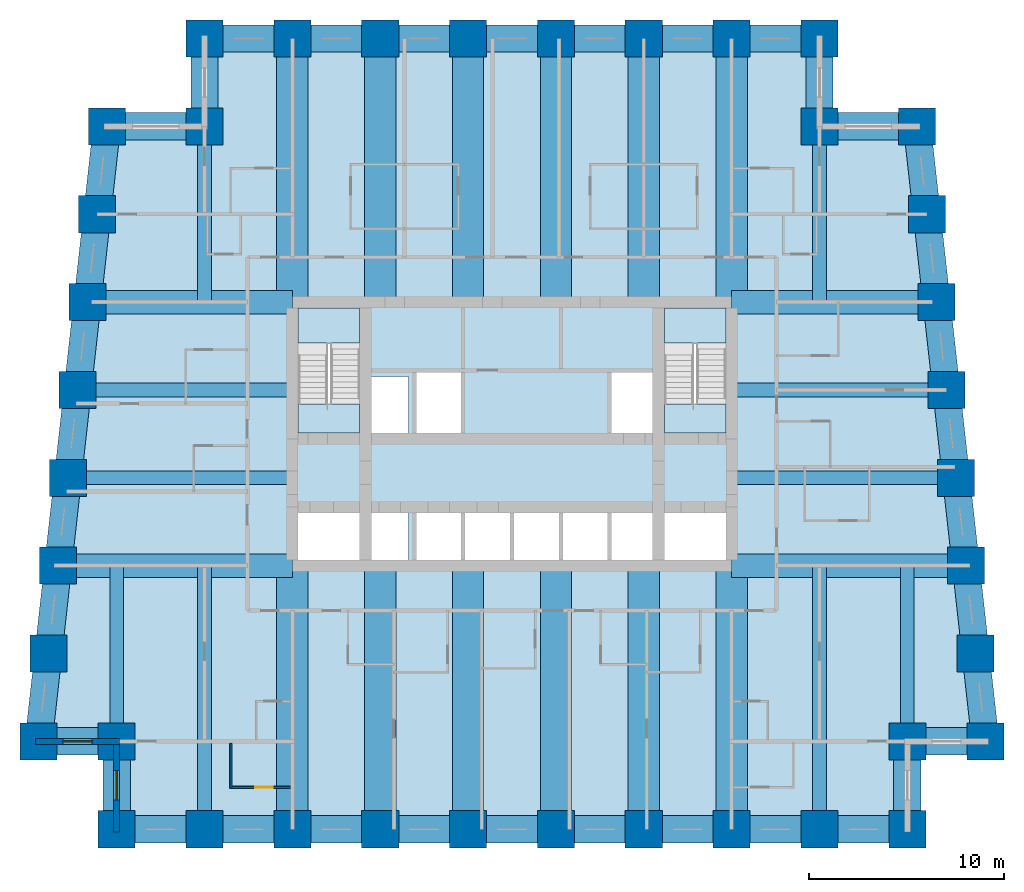
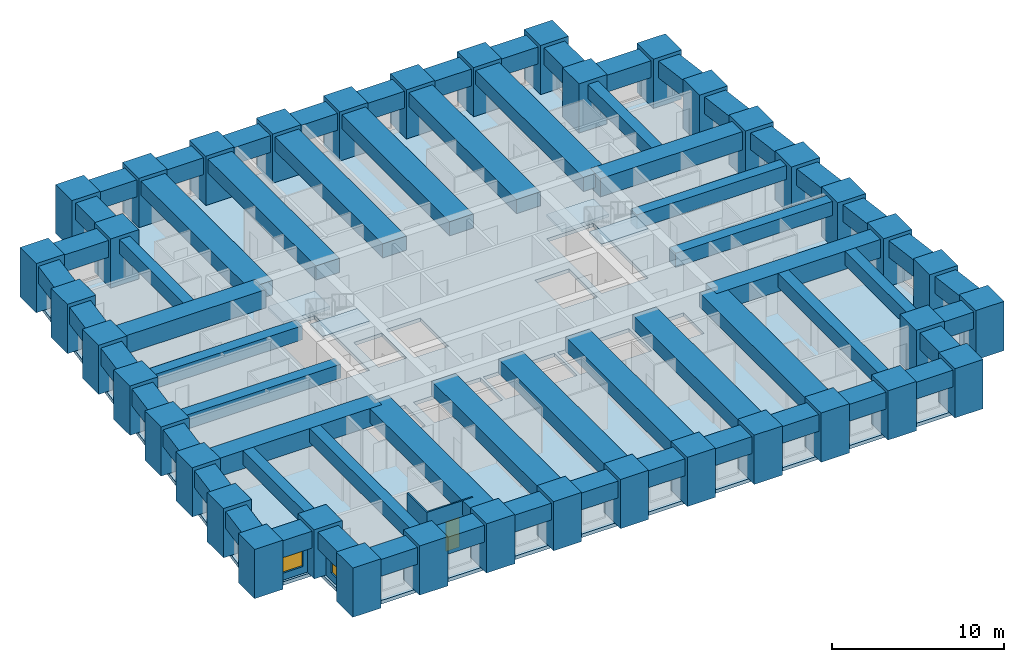
# One storey, part 1 of 8: 64 beams, 38 columns, 5 slabs, 4 walls, 2 windows, 1 door, 3 openings, 2 elements without a shape of their own.
"""IFC4 building model written with IfcOpenShell, lengths in metres."""

from ifc_helpers import new_model, si_unit, direction, frame, frame_2d, origin, origin_2d, place, context, subcontext, project, spatial, polyline, rectangle, outline, extrude, material, layer, layer_set, material_profile, profile_set, type_object, element, fill, aggregate, save


model = new_model("IFC4")

# Units and contexts
model_context = context("Model", 3, precision=1e-05, world=origin(), true_north=direction((0.0, 1.0)))
body_context = subcontext(model_context, "Body", "Model", "MODEL_VIEW")
ifc_project = project(units=[si_unit("LENGTHUNIT", "METRE"), si_unit("AREAUNIT", "SQUARE_METRE"), si_unit("VOLUMEUNIT", "CUBIC_METRE"), si_unit("PLANEANGLEUNIT", "RADIAN"), si_unit("MASSUNIT", "GRAM", prefix="KILO")], contexts=[model_context])

# Site, building, storey
site_placement = place(None, origin())
site = spatial("IfcSite", under=ifc_project, at=site_placement, CompositionType="ELEMENT")
building_placement = place(site_placement, origin())
building = spatial("IfcBuilding", under=site, at=building_placement, Name="Kilele Tower Hotel", CompositionType="ELEMENT")
storey_placement = place(building_placement, frame((0.0, 0.0, 75.199951171875)))
storey = spatial("IfcBuildingStorey", under=building, at=storey_placement, Name="L18", CompositionType="ELEMENT", Elevation=75.199951171875)

# Columns
ifc_material_1 = material(Name="Concrete C80/95", Category="concrete")
ifc_material_profile_1 = material_profile(ifc_material_1, rectangle(XDim=1.89990234375, YDim=1.89990234375, at=origin_2d()))
ifc_profile_set_1 = profile_set([ifc_material_profile_1], Name="Concrete C80/95")
column_type = type_object("IfcColumnType", Name="Tube column RC 1900x1900 C80/95", PredefinedType="COLUMN", material=ifc_profile_set_1)
for number, where, z_axis, x_axis, name in (
    (1, (0.5, 4.5, 0.0), (0.0, 0.0, 1.0), (1.0, 0.0, 0.0), "Column TC1 L18"),
    (2, (4.5, 4.5, 0.0), (0.0, 0.0, 1.0), (1.0, 0.0, 0.0), "Column TC1 L18"),
    (3, (4.5, 0.0, 0.0), (0.0, 0.0, 1.0), (1.0, 0.0, 0.0), "Column TC1 L18"),
    (4, (9.0, 0.0, 0.0), (0.0, 0.0, 1.0), (1.0, 0.0, 0.0), "Column TC1 L18"),
    (5, (13.5, 0.0, 0.0), (0.0, 0.0, 1.0), (1.0, 0.0, 0.0), "Column TC1 L18"),
    (6, (18.0, 0.0, 0.0), (0.0, 0.0, 1.0), (1.0, 0.0, 0.0), "Column TC1 L18"),
    (7, (22.5, 0.0, 0.0), (0.0, 0.0, 1.0), (1.0, 0.0, 0.0), "Column TC1 L18"),
    (8, (27.0, 0.0, 0.0), (0.0, 0.0, 1.0), (1.0, 0.0, 0.0), "Column TC1 L18"),
    (9, (31.5, 0.0, 0.0), (0.0, 0.0, 1.0), (1.0, 0.0, 0.0), "Column TC1 L18"),
    (10, (36.0, 0.0, 0.0), (0.0, 0.0, 1.0), (1.0, 0.0, 0.0), "Column TC1 L18"),
    (11, (40.5, 0.0, 0.0), (0.0, 0.0, 1.0), (1.0, 0.0, 0.0), "Column TC1 L18"),
    (12, (45.0, 0.0, 0.0), (0.0, 0.0, 1.0), (1.0, 0.0, 0.0), "Column TC1 L18"),
    (13, (45.0, 4.5, 0.0), (0.0, 0.0, 1.0), (1.0, 0.0, 0.0), "Column TC1 L18"),
    (14, (49.0, 4.5, 0.0), (0.0, 0.0, 1.0), (1.0, 0.0, 0.0), "Column TC1 L18"),
    (15, (48.5, 9.0, 0.0), (0.0, 0.0, 1.0), (1.0, 0.0, 0.0), "Column TC1 L18"),
    (16, (48.0, 13.5, 0.0), (0.0, 0.0, 1.0), (1.0, 0.0, 0.0), "Column TC1 L18"),
    (17, (47.5, 18.0, 0.0), (0.0, 0.0, 1.0), (1.0, 0.0, 0.0), "Column TC1 L18"),
    (18, (47.0, 22.5, 0.0), (0.0, 0.0, 1.0), (1.0, 0.0, 0.0), "Column TC1 L18"),
    (19, (46.5, 27.0, 0.0), (0.0, 0.0, 1.0), (1.0, 0.0, 0.0), "Column TC1 L18"),
    (20, (46.0, 31.5, 0.0), (0.0, 0.0, 1.0), (1.0, 0.0, 0.0), "Column TC1 L18"),
    (21, (45.5, 36.0, 0.0), (0.0, 0.0, 1.0), (1.0, 0.0, 0.0), "Column TC1 L18"),
    (22, (40.5, 36.0, 0.0), (0.0, 0.0, 1.0), (1.0, 0.0, 0.0), "Column TC1 L18"),
    (23, (40.5, 40.5, 0.0), (0.0, 0.0, 1.0), (1.0, 0.0, 0.0), "Column TC1 L18"),
    (24, (36.0, 40.5, 0.0), (0.0, 0.0, 1.0), (1.0, 0.0, 0.0), "Column TC1 L18"),
    (25, (31.5, 40.5, 0.0), (0.0, 0.0, 1.0), (1.0, 0.0, 0.0), "Column TC1 L18"),
    (26, (27.0, 40.5, 0.0), (0.0, 0.0, 1.0), (1.0, 0.0, 0.0), "Column TC1 L18"),
    (27, (22.5, 40.5, 0.0), (0.0, 0.0, 1.0), (1.0, 0.0, 0.0), "Column TC1 L18"),
    (28, (18.0, 40.5, 0.0), (0.0, 0.0, 1.0), (1.0, 0.0, 0.0), "Column TC1 L18"),
    (29, (13.5, 40.5, 0.0), (0.0, 0.0, 1.0), (1.0, 0.0, 0.0), "Column TC1 L18"),
    (30, (9.0, 40.5, 0.0), (0.0, 0.0, 1.0), (1.0, 0.0, 0.0), "Column TC1 L18"),
    (31, (9.0, 36.0, 0.0), (0.0, 0.0, 1.0), (1.0, 0.0, 0.0), "Column TC1 L18"),
    (32, (4.0, 36.0, 0.0), (0.0, 0.0, 1.0), (1.0, 0.0, 0.0), "Column TC1 L18"),
    (33, (3.5, 31.5, 0.0), (0.0, 0.0, 1.0), (1.0, 0.0, 0.0), "Column TC1 L18"),
    (34, (3.0, 27.0, 0.0), (0.0, 0.0, 1.0), (1.0, 0.0, 0.0), "Column TC1 L18"),
    (35, (2.5, 22.5, 0.0), (0.0, 0.0, 1.0), (1.0, 0.0, 0.0), "Column TC1 L18"),
    (36, (2.0, 18.0, 0.0), (0.0, 0.0, 1.0), (1.0, 0.0, 0.0), "Column TC1 L18"),
    (37, (1.5, 13.5, 0.0), (0.0, 0.0, 1.0), (1.0, 0.0, 0.0), "Column TC1 L18"),
    (38, (1.0, 9.0, 0.0), (0.0, 0.0, 1.0), (1.0, 0.0, 0.0), "Column TC1 L18"),
):
    element("IfcColumn", number, at=place(storey_placement, frame(where, z_axis=z_axis, x_axis=x_axis)), inside=storey, type_object=column_type, Name=name, PredefinedType="COLUMN", context=body_context, shape_type="SweptSolid", body=[
        extrude(rectangle(XDim=1.89990234375, YDim=1.89990234375, at=origin_2d()), origin(), (0.0, 0.0, 1.0), 3.5),
    ])

# Beams
ifc_material_2 = material(Name="Concrete C60/75", Category="concrete")
ifc_material_profile_2 = material_profile(ifc_material_2, rectangle(XDim=1.60009765625, YDim=1.0, at=origin_2d()))
ifc_profile_set_2 = profile_set([ifc_material_profile_2], Name="Concrete C60/75")
beam_type_1 = type_object("IfcBeamType", Name="Beam RC 1600x1000 C60/75", PredefinedType="BEAM", material=ifc_profile_set_2)
for number, where, z_axis, x_axis, name in (
    (39, (13.5, 0.0, 2.75), (0.0, 1.0, 0.0), (-1.0, 0.0, 0.0), "Beam BC1 level L19"),
    (40, (18.0, 0.0, 2.75), (0.0, 1.0, 0.0), (-1.0, 0.0, 0.0), "Beam BC1 level L19"),
    (41, (22.5, 0.0, 2.75), (0.0, 1.0, 0.0), (-1.0, 0.0, 0.0), "Beam BC1 level L19"),
    (42, (27.0, 0.0, 2.75), (0.0, 1.0, 0.0), (-1.0, 0.0, 0.0), "Beam BC1 level L19"),
    (43, (31.5, 0.0, 2.75), (0.0, 1.0, 0.0), (-1.0, 0.0, 0.0), "Beam BC1 level L19"),
    (44, (36.0, 0.0, 2.75), (0.0, 1.0, 0.0), (-1.0, 0.0, 0.0), "Beam BC1 level L19"),
    (45, (36.0, 40.5, 2.75), (0.0, -1.0, 0.0), (1.0, 0.0, 0.0), "Beam BC1 level L19"),
    (46, (31.5, 40.5, 2.75), (0.0, -1.0, 0.0), (1.0, 0.0, 0.0), "Beam BC1 level L19"),
    (47, (27.0, 40.5, 2.75), (0.0, -1.0, 0.0), (1.0, 0.0, 0.0), "Beam BC1 level L19"),
    (48, (22.5, 40.5, 2.75), (0.0, -1.0, 0.0), (1.0, 0.0, 0.0), "Beam BC1 level L19"),
    (49, (18.0, 40.5, 2.75), (0.0, -1.0, 0.0), (1.0, 0.0, 0.0), "Beam BC1 level L19"),
    (50, (13.5, 40.5, 2.75), (0.0, -1.0, 0.0), (1.0, 0.0, 0.0), "Beam BC1 level L19"),
):
    element("IfcBeam", number, at=place(storey_placement, frame(where, z_axis=z_axis, x_axis=x_axis)), inside=storey, type_object=beam_type_1, Name=name, PredefinedType="BEAM", context=body_context, shape_type="SweptSolid", body=[
        extrude(rectangle(XDim=1.60009765625, YDim=1.0, at=origin_2d()), origin(), (0.0, 0.0, 1.0), 13.5),
    ])
ifc_material_3 = material(Name="Concrete C60/75", Category="concrete")
ifc_material_profile_3 = material_profile(ifc_material_3, rectangle(XDim=0.699951171875, YDim=1.0, at=origin_2d()))
ifc_profile_set_3 = profile_set([ifc_material_profile_3], Name="Concrete C60/75")
beam_type_2 = type_object("IfcBeamType", Name="Beam RC 700x1000 C60/75", PredefinedType="BEAM", material=ifc_profile_set_3)
for number, where, z_axis, x_axis, name in (
    (51, (9.0, 0.0, 2.75), (0.0, 1.0, 0.0), (-1.0, 0.0, 0.0), "Beam B4 level L19"),
    (52, (40.5, 0.0, 2.75), (0.0, 1.0, 0.0), (-1.0, 0.0, 0.0), "Beam B4 level L19"),
):
    element("IfcBeam", number, at=place(storey_placement, frame(where, z_axis=z_axis, x_axis=x_axis)), inside=storey, type_object=beam_type_2, Name=name, PredefinedType="BEAM", context=body_context, shape_type="SweptSolid", body=[
        extrude(rectangle(XDim=0.699951171875, YDim=1.0, at=origin_2d()), origin(), (0.0, 0.0, 1.0), 13.5),
    ])
ifc_material_4 = material(Name="Concrete C60/75", Category="concrete")
ifc_material_profile_4 = material_profile(ifc_material_4, rectangle(XDim=0.699951171875, YDim=1.0, at=origin_2d()))
ifc_profile_set_4 = profile_set([ifc_material_profile_4], Name="Concrete C60/75")
beam_type_3 = type_object("IfcBeamType", Name="Beam RC 700x1000 C60/75 mid span", PredefinedType="BEAM", material=ifc_profile_set_4)
for number, where, z_axis, x_axis, name in (
    (53, (4.5, 4.5, 2.75), (0.0, 1.0, 0.0), (-1.0, 0.0, 0.0), "Beam B5 level L19"),
    (54, (45.0, 4.5, 2.75), (0.0, 1.0, 0.0), (-1.0, 0.0, 0.0), "Beam B5 level L19"),
):
    element("IfcBeam", number, at=place(storey_placement, frame(where, z_axis=z_axis, x_axis=x_axis)), inside=storey, type_object=beam_type_3, Name=name, PredefinedType="BEAM", context=body_context, shape_type="SweptSolid", body=[
        extrude(rectangle(XDim=0.699951171875, YDim=1.0, at=origin_2d()), origin(), (0.0, 0.0, 1.0), 9.0),
    ])
beam_1_placement = place(storey_placement, frame((47.5, 18.0, 2.75), z_axis=(-1.0, 0.0, 0.0), x_axis=(0.0, -1.0, 0.0)))
element("IfcBeam", 55, at=beam_1_placement, inside=storey, type_object=beam_type_3, Name="Beam B5 level L19", PredefinedType="BEAM", context=body_context, shape_type="SweptSolid", body=[
    extrude(rectangle(XDim=0.699951171875, YDim=1.0, at=origin_2d()), origin(), (0.0, 0.0, 1.0), 11.5),
])
beam_2_placement = place(storey_placement, frame((47.0, 22.5, 2.75), z_axis=(-1.0, 0.0, 0.0), x_axis=(0.0, -1.0, 0.0)))
element("IfcBeam", 56, at=beam_2_placement, inside=storey, type_object=beam_type_3, Name="Beam B5 level L19", PredefinedType="BEAM", context=body_context, shape_type="SweptSolid", body=[
    extrude(rectangle(XDim=0.699951171875, YDim=1.0, at=origin_2d()), origin(), (0.0, 0.0, 1.0), 11.0),
])
for number, where, z_axis, x_axis, name in (
    (57, (40.5, 36.0, 2.75), (0.0, -1.0, 0.0), (1.0, 0.0, 0.0), "Beam B5 level L19"),
    (58, (9.0, 36.0, 2.75), (0.0, -1.0, 0.0), (1.0, 0.0, 0.0), "Beam B5 level L19"),
):
    element("IfcBeam", number, at=place(storey_placement, frame(where, z_axis=z_axis, x_axis=x_axis)), inside=storey, type_object=beam_type_3, Name=name, PredefinedType="BEAM", context=body_context, shape_type="SweptSolid", body=[
        extrude(rectangle(XDim=0.699951171875, YDim=1.0, at=origin_2d()), origin(), (0.0, 0.0, 1.0), 9.0),
    ])
beam_3_placement = place(storey_placement, frame((2.5, 22.5, 2.75), z_axis=(1.0, 0.0, 0.0), x_axis=(0.0, 1.0, 0.0)))
element("IfcBeam", 59, at=beam_3_placement, inside=storey, type_object=beam_type_3, Name="Beam B5 level L19", PredefinedType="BEAM", context=body_context, shape_type="SweptSolid", body=[
    extrude(rectangle(XDim=0.699951171875, YDim=1.0, at=origin_2d()), origin(), (0.0, 0.0, 1.0), 11.0),
])
beam_4_placement = place(storey_placement, frame((2.0, 18.0, 2.75), z_axis=(1.0, 0.0, 0.0), x_axis=(0.0, 1.0, 0.0)))
element("IfcBeam", 60, at=beam_4_placement, inside=storey, type_object=beam_type_3, Name="Beam B5 level L19", PredefinedType="BEAM", context=body_context, shape_type="SweptSolid", body=[
    extrude(rectangle(XDim=0.699951171875, YDim=1.0, at=origin_2d()), origin(), (0.0, 0.0, 1.0), 11.5),
])
ifc_material_5 = material(Name="Concrete C60/75", Category="concrete")
ifc_material_profile_5 = material_profile(ifc_material_5, rectangle(XDim=1.199951171875, YDim=1.300048828125, at=origin_2d()))
ifc_profile_set_5 = profile_set([ifc_material_profile_5], Name="Concrete C60/75")
beam_type_4 = type_object("IfcBeamType", Name="Girder RC 1200x1300 C60/75", PredefinedType="BEAM", material=ifc_profile_set_5)
for number, where, z_axis, x_axis, name in (
    (61, (48.0, 13.5, 2.60009765625), (-1.0, 0.0, 0.0), (0.0, -1.0, 0.0), "Girder G1 level L19"),
    (62, (1.5, 13.5, 2.60009765625), (1.0, 0.0, 0.0), (0.0, 1.0, 0.0), "Girder G1 level L19"),
):
    element("IfcBeam", number, at=place(storey_placement, frame(where, z_axis=z_axis, x_axis=x_axis)), inside=storey, type_object=beam_type_4, Name=name, PredefinedType="BEAM", context=body_context, shape_type="SweptSolid", body=[
        extrude(rectangle(XDim=1.199951171875, YDim=1.300048828125, at=origin_2d()), origin(), (0.0, 0.0, 1.0), 12.0),
    ])
ifc_material_6 = material(Name="Concrete C60/75", Category="concrete")
ifc_material_profile_6 = material_profile(ifc_material_6, rectangle(XDim=1.199951171875, YDim=1.300048828125, at=origin_2d()))
ifc_profile_set_6 = profile_set([ifc_material_profile_6], Name="Concrete C60/75")
beam_type_5 = type_object("IfcBeamType", Name="Girder RC 1200x1300 C60/75 mid span", PredefinedType="BEAM", material=ifc_profile_set_6)
for number, where, z_axis, x_axis, name in (
    (63, (46.5, 27.0, 2.60009765625), (-1.0, 0.0, 0.0), (0.0, -1.0, 0.0), "Girder G3 level L19"),
    (64, (3.0, 27.0, 2.60009765625), (1.0, 0.0, 0.0), (0.0, 1.0, 0.0), "Girder G3 level L19"),
):
    element("IfcBeam", number, at=place(storey_placement, frame(where, z_axis=z_axis, x_axis=x_axis)), inside=storey, type_object=beam_type_5, Name=name, PredefinedType="BEAM", context=body_context, shape_type="SweptSolid", body=[
        extrude(rectangle(XDim=1.199951171875, YDim=1.300048828125, at=origin_2d()), origin(), (0.0, 0.0, 1.0), 10.5),
    ])
ifc_material_7 = material(Name="Concrete C60/75", Category="concrete")
ifc_material_profile_7 = material_profile(ifc_material_7, rectangle(XDim=1.39990234375, YDim=1.199951171875, at=origin_2d()))
ifc_profile_set_7 = profile_set([ifc_material_profile_7], Name="Concrete C60/75")
beam_type_6 = type_object("IfcBeamType", Name="Spandrel RC 1400x1200 C60/75", PredefinedType="SPANDREL", material=ifc_profile_set_7)
beam_5_placement = place(storey_placement, frame((0.5, 4.5, 2.650146484375), z_axis=(1.0, 0.0, 0.0), x_axis=(0.0, 1.0, 0.0)))
element("IfcBeam", 65, at=beam_5_placement, inside=storey, type_object=beam_type_6, Name="Spandrel SP10 level L19", PredefinedType="SPANDREL", context=body_context, shape_type="SweptSolid", body=[
    extrude(rectangle(XDim=1.39990234375, YDim=1.199951171875, at=origin_2d()), origin(), (0.0, 0.0, 1.0), 4.0),
])
for number, where, z_axis, x_axis, name in (
    (66, (4.5, 4.5, 2.650146484375), (0.0, -1.0, 0.0), (1.0, 0.0, 0.0), "Spandrel SP10 level L19"),
    (67, (4.5, 0.0, 2.650146484375), (1.0, 0.0, 0.0), (0.0, 1.0, 0.0), "Spandrel SP10 level L19"),
    (68, (9.0, 0.0, 2.650146484375), (1.0, 0.0, 0.0), (0.0, 1.0, 0.0), "Spandrel SP10 level L19"),
    (69, (13.5, 0.0, 2.650146484375), (1.0, 0.0, 0.0), (0.0, 1.0, 0.0), "Spandrel SP10 level L19"),
    (70, (18.0, 0.0, 2.650146484375), (1.0, 0.0, 0.0), (0.0, 1.0, 0.0), "Spandrel SP10 level L19"),
    (71, (22.5, 0.0, 2.650146484375), (1.0, 0.0, 0.0), (0.0, 1.0, 0.0), "Spandrel SP10 level L19"),
    (72, (27.0, 0.0, 2.650146484375), (1.0, 0.0, 0.0), (0.0, 1.0, 0.0), "Spandrel SP10 level L19"),
    (73, (31.5, 0.0, 2.650146484375), (1.0, 0.0, 0.0), (0.0, 1.0, 0.0), "Spandrel SP10 level L19"),
    (74, (36.0, 0.0, 2.650146484375), (1.0, 0.0, 0.0), (0.0, 1.0, 0.0), "Spandrel SP10 level L19"),
    (75, (40.5, 0.0, 2.650146484375), (1.0, 0.0, 0.0), (0.0, 1.0, 0.0), "Spandrel SP10 level L19"),
    (76, (45.0, 0.0, 2.650146484375), (0.0, 1.0, 0.0), (-1.0, 0.0, 0.0), "Spandrel SP10 level L19"),
):
    element("IfcBeam", number, at=place(storey_placement, frame(where, z_axis=z_axis, x_axis=x_axis)), inside=storey, type_object=beam_type_6, Name=name, PredefinedType="SPANDREL", context=body_context, shape_type="SweptSolid", body=[
        extrude(rectangle(XDim=1.39990234375, YDim=1.199951171875, at=origin_2d()), origin(), (0.0, 0.0, 1.0), 4.5),
    ])
beam_6_placement = place(storey_placement, frame((45.0, 4.5, 2.650146484375), z_axis=(1.0, 0.0, 0.0), x_axis=(0.0, 1.0, 0.0)))
element("IfcBeam", 77, at=beam_6_placement, inside=storey, type_object=beam_type_6, Name="Spandrel SP10 level L19", PredefinedType="SPANDREL", context=body_context, shape_type="SweptSolid", body=[
    extrude(rectangle(XDim=1.39990234375, YDim=1.199951171875, at=origin_2d()), origin(), (0.0, 0.0, 1.0), 4.0),
])
for number, where, z_axis, x_axis, name in (
    (78, (49.0, 4.5, 2.650146484375), (-0.110431526075, 0.993883734674, 0.0), (-0.993883734674, -0.110431526075, 0.0), "Spandrel SP10 level L19"),
    (79, (48.5, 9.0, 2.650146484375), (-0.110431526075, 0.993883734674, 0.0), (-0.993883734674, -0.110431526075, 0.0), "Spandrel SP10 level L19"),
    (80, (48.0, 13.5, 2.650146484375), (-0.110431526075, 0.993883734674, 0.0), (-0.993883734674, -0.110431526075, 0.0), "Spandrel SP10 level L19"),
    (81, (47.5, 18.0, 2.650146484375), (-0.110431526075, 0.993883734674, 0.0), (-0.993883734674, -0.110431526075, 0.0), "Spandrel SP10 level L19"),
    (82, (47.0, 22.5, 2.650146484375), (-0.110431526075, 0.993883734674, 0.0), (-0.993883734674, -0.110431526075, 0.0), "Spandrel SP10 level L19"),
    (83, (46.5, 27.0, 2.650146484375), (-0.110431526075, 0.993883734674, 0.0), (-0.993883734674, -0.110431526075, 0.0), "Spandrel SP10 level L19"),
    (84, (46.0, 31.5, 2.650146484375), (-0.110431526075, 0.993883734674, 0.0), (-0.993883734674, -0.110431526075, 0.0), "Spandrel SP10 level L19"),
):
    element("IfcBeam", number, at=place(storey_placement, frame(where, z_axis=z_axis, x_axis=x_axis)), inside=storey, type_object=beam_type_6, Name=name, PredefinedType="SPANDREL", context=body_context, shape_type="SweptSolid", body=[
        extrude(rectangle(XDim=1.39990234375, YDim=1.199951171875, at=origin_2d()), origin(), (0.0, 0.0, 1.0), 4.527587890625),
    ])
beam_7_placement = place(storey_placement, frame((45.5, 36.0, 2.650146484375), z_axis=(-1.0, 0.0, 0.0), x_axis=(0.0, -1.0, 0.0)))
element("IfcBeam", 85, at=beam_7_placement, inside=storey, type_object=beam_type_6, Name="Spandrel SP10 level L19", PredefinedType="SPANDREL", context=body_context, shape_type="SweptSolid", body=[
    extrude(rectangle(XDim=1.39990234375, YDim=1.199951171875, at=origin_2d()), origin(), (0.0, 0.0, 1.0), 5.0),
])
for number, where, z_axis, x_axis, name in (
    (86, (40.5, 36.0, 2.650146484375), (0.0, 1.0, 0.0), (-1.0, 0.0, 0.0), "Spandrel SP10 level L19"),
    (87, (40.5, 40.5, 2.650146484375), (-1.0, 0.0, 0.0), (0.0, -1.0, 0.0), "Spandrel SP10 level L19"),
    (88, (36.0, 40.5, 2.650146484375), (-1.0, 0.0, 0.0), (0.0, -1.0, 0.0), "Spandrel SP10 level L19"),
    (89, (31.5, 40.5, 2.650146484375), (-1.0, 0.0, 0.0), (0.0, -1.0, 0.0), "Spandrel SP10 level L19"),
    (90, (27.0, 40.5, 2.650146484375), (-1.0, 0.0, 0.0), (0.0, -1.0, 0.0), "Spandrel SP10 level L19"),
    (91, (22.5, 40.5, 2.650146484375), (-1.0, 0.0, 0.0), (0.0, -1.0, 0.0), "Spandrel SP10 level L19"),
    (92, (18.0, 40.5, 2.650146484375), (-1.0, 0.0, 0.0), (0.0, -1.0, 0.0), "Spandrel SP10 level L19"),
    (93, (13.5, 40.5, 2.650146484375), (-1.0, 0.0, 0.0), (0.0, -1.0, 0.0), "Spandrel SP10 level L19"),
    (94, (9.0, 40.5, 2.650146484375), (0.0, -1.0, 0.0), (1.0, 0.0, 0.0), "Spandrel SP10 level L19"),
):
    element("IfcBeam", number, at=place(storey_placement, frame(where, z_axis=z_axis, x_axis=x_axis)), inside=storey, type_object=beam_type_6, Name=name, PredefinedType="SPANDREL", context=body_context, shape_type="SweptSolid", body=[
        extrude(rectangle(XDim=1.39990234375, YDim=1.199951171875, at=origin_2d()), origin(), (0.0, 0.0, 1.0), 4.5),
    ])
beam_8_placement = place(storey_placement, frame((9.0, 36.0, 2.650146484375), z_axis=(-1.0, 0.0, 0.0), x_axis=(0.0, -1.0, 0.0)))
element("IfcBeam", 95, at=beam_8_placement, inside=storey, type_object=beam_type_6, Name="Spandrel SP10 level L19", PredefinedType="SPANDREL", context=body_context, shape_type="SweptSolid", body=[
    extrude(rectangle(XDim=1.39990234375, YDim=1.199951171875, at=origin_2d()), origin(), (0.0, 0.0, 1.0), 5.0),
])
for number, where, z_axis, x_axis, name in (
    (96, (4.0, 36.0, 2.650146484375), (-0.110431526075, -0.993883734674, 0.0), (0.993883734674, -0.110431526075, 0.0), "Spandrel SP10 level L19"),
    (97, (3.5, 31.5, 2.650146484375), (-0.110431526075, -0.993883734674, 0.0), (0.993883734674, -0.110431526075, 0.0), "Spandrel SP10 level L19"),
    (98, (3.0, 27.0, 2.650146484375), (-0.110431526075, -0.993883734674, 0.0), (0.993883734674, -0.110431526075, 0.0), "Spandrel SP10 level L19"),
    (99, (2.5, 22.5, 2.650146484375), (-0.110431526075, -0.993883734674, 0.0), (0.993883734674, -0.110431526075, 0.0), "Spandrel SP10 level L19"),
    (100, (2.0, 18.0, 2.650146484375), (-0.110431526075, -0.993883734674, 0.0), (0.993883734674, -0.110431526075, 0.0), "Spandrel SP10 level L19"),
    (101, (1.5, 13.5, 2.650146484375), (-0.110431526075, -0.993883734674, 0.0), (0.993883734674, -0.110431526075, 0.0), "Spandrel SP10 level L19"),
    (102, (1.0, 9.0, 2.650146484375), (-0.110431526075, -0.993883734674, 0.0), (0.993883734674, -0.110431526075, 0.0), "Spandrel SP10 level L19"),
):
    element("IfcBeam", number, at=place(storey_placement, frame(where, z_axis=z_axis, x_axis=x_axis)), inside=storey, type_object=beam_type_6, Name=name, PredefinedType="SPANDREL", context=body_context, shape_type="SweptSolid", body=[
        extrude(rectangle(XDim=1.39990234375, YDim=1.199951171875, at=origin_2d()), origin(), (0.0, 0.0, 1.0), 4.527587890625),
    ])

# Slab
ifc_material_8 = material(Name="Concrete C60/75", Category="concrete")
ifc_layer_1 = layer(ifc_material_8, 0.25)
ifc_layer_set_1 = layer_set([ifc_layer_1], Name="Concrete C60/75")
slab_type_1 = type_object("IfcSlabType", Name="Floor slab 250", PredefinedType="FLOOR", material=ifc_layer_set_1)
slab_1_placement = place(storey_placement, frame((0.0, 0.0, -0.25)))
element("IfcSlab", 103, at=slab_1_placement, inside=storey, type_object=slab_type_1, Name="Floor slab L18", PredefinedType="FLOOR", context=body_context, shape_type="SweptSolid", body=[
    extrude(outline(polyline([(8.699951171875, 36.300048828125), (8.699951171875, 40.800048828125), (40.800048828125, 40.800048828125), (40.800048828125, 36.300048828125), (45.7685546875, 36.300048828125), (49.335205078125, 4.199951171875), (45.300048828125, 4.199951171875), (45.300048828125, -0.300048828125), (4.199951171875, -0.300048828125), (4.199951171875, 4.199951171875), (0.164794921875, 4.199951171875), (3.7314453125, 36.300048828125), (8.699951171875, 36.300048828125)]), holes=[polyline([(16.949951171875, 16.199951171875), (13.800048828125, 16.199951171875), (13.800048828125, 13.800048828125), (16.949951171875, 13.800048828125), (16.949951171875, 16.199951171875)]), polyline([(19.449951171875, 13.800048828125), (19.449951171875, 16.199951171875), (17.550048828125, 16.199951171875), (17.550048828125, 13.800048828125), (19.449951171875, 13.800048828125)]), polyline([(22.14990234375, 13.800048828125), (22.14990234375, 16.39990234375), (19.85009765625, 16.39990234375), (19.85009765625, 13.800048828125), (22.14990234375, 13.800048828125)]), polyline([(24.64990234375, 16.39990234375), (22.35009765625, 16.39990234375), (22.35009765625, 13.800048828125), (24.64990234375, 13.800048828125), (24.64990234375, 16.39990234375)]), polyline([(19.449951171875, 20.300048828125), (19.449951171875, 23.199951171875), (17.550048828125, 23.199951171875), (17.550048828125, 20.300048828125), (19.449951171875, 20.300048828125)]), polyline([(22.14990234375, 20.10009765625), (22.14990234375, 23.39990234375), (19.85009765625, 23.39990234375), (19.85009765625, 20.10009765625), (22.14990234375, 20.10009765625)]), polyline([(16.949951171875, 26.699951171875), (13.800048828125, 26.699951171875), (13.800048828125, 20.300048828125), (16.949951171875, 20.300048828125), (16.949951171875, 26.699951171875)]), polyline([(35.699951171875, 13.800048828125), (35.699951171875, 16.199951171875), (32.550048828125, 16.199951171875), (32.550048828125, 13.800048828125), (35.699951171875, 13.800048828125)]), polyline([(27.14990234375, 13.800048828125), (27.14990234375, 16.39990234375), (24.85009765625, 16.39990234375), (24.85009765625, 13.800048828125), (27.14990234375, 13.800048828125)]), polyline([(29.64990234375, 13.800048828125), (29.64990234375, 16.39990234375), (27.35009765625, 16.39990234375), (27.35009765625, 13.800048828125), (29.64990234375, 13.800048828125)]), polyline([(32.14990234375, 13.800048828125), (32.14990234375, 16.39990234375), (29.85009765625, 16.39990234375), (29.85009765625, 13.800048828125), (32.14990234375, 13.800048828125)]), polyline([(32.14990234375, 20.10009765625), (32.14990234375, 23.39990234375), (29.85009765625, 23.39990234375), (29.85009765625, 20.10009765625), (32.14990234375, 20.10009765625)]), polyline([(35.699951171875, 20.300048828125), (35.699951171875, 26.699951171875), (32.550048828125, 26.699951171875), (32.550048828125, 20.300048828125), (35.699951171875, 20.300048828125)])]), origin(), (0.0, 0.0, 1.0), 0.25),
])

# Stair, slabs
ifc_material_9 = material(Name="Precast concrete C40/50", Category="concrete")
stair_type = type_object("IfcStairType", Name="Stair 1475 x 3500", PredefinedType="HALF_TURN_STAIR", material=ifc_material_9)
stair_1_placement = place(storey_placement, origin())
stair_1 = element("IfcStair", 104, at=stair_1_placement, inside=storey, type_object=stair_type, Name="Stair 1 L18", PredefinedType="HALF_TURN_STAIR")
ifc_material_10 = material(Name="Precast concrete C40/50", Category="concrete")
ifc_layer_2 = layer(ifc_material_10, 0.199951171875)
ifc_layer_set_2 = layer_set([ifc_layer_2], Name="Precast concrete C40/50")
slab_type_2 = type_object("IfcSlabType", Name="Stair landing 200", PredefinedType="LANDING", material=ifc_layer_set_2)
slab_2_placement = place(storey_placement, frame((0.0, 0.0, 1.550048828125)))
slab_2 = element("IfcSlab", 105, at=slab_2_placement, type_object=slab_type_2, Name="ST1 landing 1", PredefinedType="LANDING", context=body_context, shape_type="SweptSolid", body=[
    extrude(outline(polyline([(13.800048828125, 24.89501953125), (16.949951171875, 24.89501953125), (16.949951171875, 26.699951171875), (13.800048828125, 26.699951171875), (13.800048828125, 24.89501953125)])), origin(), (0.0, 0.0, 1.0), 0.199951171875),
])
slab_3_placement = place(storey_placement, frame((0.0, 0.0, 3.300048828125)))
slab_3 = element("IfcSlab", 106, at=slab_3_placement, type_object=slab_type_2, Name="ST1 landing 2", PredefinedType="LANDING", context=body_context, shape_type="SweptSolid", body=[
    extrude(outline(polyline([(13.800048828125, 20.300048828125), (16.949951171875, 20.300048828125), (16.949951171875, 21.77490234375), (13.800048828125, 21.77490234375), (13.800048828125, 20.300048828125)])), origin(), (0.0, 0.0, 1.0), 0.199951171875),
])
aggregate(stair_1, [slab_2, slab_3])

stair_2_placement = place(storey_placement, origin())
stair_2 = element("IfcStair", 107, at=stair_2_placement, inside=storey, type_object=stair_type, Name="Stair 2 L18", PredefinedType="HALF_TURN_STAIR")
slab_4_placement = place(storey_placement, frame((0.0, 0.0, 1.550048828125)))
slab_4 = element("IfcSlab", 108, at=slab_4_placement, type_object=slab_type_2, Name="ST2 landing 1", PredefinedType="LANDING", context=body_context, shape_type="SweptSolid", body=[
    extrude(outline(polyline([(32.550048828125, 24.89501953125), (35.699951171875, 24.89501953125), (35.699951171875, 26.699951171875), (32.550048828125, 26.699951171875), (32.550048828125, 24.89501953125)])), origin(), (0.0, 0.0, 1.0), 0.199951171875),
])
slab_5_placement = place(storey_placement, frame((0.0, 0.0, 3.300048828125)))
slab_5 = element("IfcSlab", 109, at=slab_5_placement, type_object=slab_type_2, Name="ST2 landing 2", PredefinedType="LANDING", context=body_context, shape_type="SweptSolid", body=[
    extrude(outline(polyline([(32.550048828125, 20.300048828125), (35.699951171875, 20.300048828125), (35.699951171875, 21.77490234375), (32.550048828125, 21.77490234375), (32.550048828125, 20.300048828125)])), origin(), (0.0, 0.0, 1.0), 0.199951171875),
])
aggregate(stair_2, [slab_4, slab_5])

# Wall
ifc_material_11 = material(Name="Moisture-resistant board")
ifc_layer_3 = layer(ifc_material_11, 0.10009765625)
ifc_layer_set_3 = layer_set([ifc_layer_3], Name="Moisture-resistant board")
wall_type_1 = type_object("IfcWallType", Name="Bathroom partition 100", PredefinedType="PLUMBINGWALL", material=ifc_layer_set_3)
wall_1_placement = place(storey_placement, frame((10.35009765625, 4.39990234375, 0.0), z_axis=(0.0, 0.0, 1.0), x_axis=(0.0, -1.0, 0.0)))
element("IfcWall", 110, at=wall_1_placement, inside=storey, type_object=wall_type_1, Name="Bathroom partition 100 L18", PredefinedType="PLUMBINGWALL", context=body_context, shape_type="SweptSolid", body=[
    extrude(rectangle(XDim=2.2998046875, YDim=0.10009765625, at=frame_2d((1.14990234375, 0.0))), origin(), (0.0, 0.0, 1.0), 3.25),
])

# Wall, opening, door
wall_2_placement = place(storey_placement, frame((13.39990234375, 2.14990234375, 0.0), z_axis=(0.0, 0.0, 1.0), x_axis=(-1.0, 0.0, 0.0)))
wall_2 = element("IfcWall", 111, at=wall_2_placement, inside=storey, type_object=wall_type_1, Name="Bathroom partition 100 L18", PredefinedType="PLUMBINGWALL", context=body_context, shape_type="SweptSolid", body=[
    extrude(rectangle(XDim=3.099853515625, YDim=0.10009765625, at=frame_2d((1.5498046875, 0.0))), origin(), (0.0, 0.0, 1.0), 3.25),
])
opening_1_placement = place(wall_2_placement, frame((0.89990234375, 0.0, 0.0)))
opening_1 = element("IfcOpeningElement", 112, at=opening_1_placement, cuts=wall_2, Name="Opening D2A", PredefinedType="OPENING", context=body_context, shape_type="SweptSolid", body=[
    extrude(rectangle(XDim=0.89990234375, YDim=2.10009765625, at=frame_2d((0.449951171875, 1.050048828125))), frame((0.0, 0.06005859375, 0.0), z_axis=(0.0, -1.0, 0.0), x_axis=(1.0, 0.0, 0.0)), (0.0, 0.0, 1.0), 0.1201171875),
])
ifc_material_12 = material(Name="Timber door leaf in hardwood frame", Category="wood")
door_type = type_object("IfcDoorType", Name="Bathroom door 900", OperationType="SINGLE_SWING_LEFT", PredefinedType="DOOR", material=ifc_material_12)
door_placement = place(opening_1_placement, origin())
door = element("IfcDoor", 113, at=door_placement, inside=storey, type_object=door_type, Name="Bathroom door 1819B", OperationType="SINGLE_SWING_LEFT", OverallHeight=2.10009765625, OverallWidth=0.89990234375, PredefinedType="DOOR", context=body_context, shape_type="SweptSolid", body=[
    extrude(rectangle(XDim=0.89990234375, YDim=2.10009765625, at=frame_2d((0.449951171875, 1.050048828125))), frame((0.0, 0.02490234375, 0.0), z_axis=(0.0, -1.0, 0.0), x_axis=(1.0, 0.0, 0.0)), (0.0, 0.0, 1.0), 0.050048828125),
])
fill(opening_1, door)

# Wall, opening, window
ifc_material_13 = material(Name="Concrete C40/50 precast", Category="concrete")
ifc_layer_4 = layer(ifc_material_13, 0.260009765625, Name="Precast backing", Category="LoadBearing")
ifc_material_14 = material(Name="Reconstituted stone finish", Category="masonry")
ifc_layer_5 = layer(ifc_material_14, 0.0400390625, Name="Face mix", Category="Finish")
ifc_layer_set_4 = layer_set([ifc_layer_4, ifc_layer_5], Name="Precast concrete C40/50, reconstituted stone finish")
wall_type_2 = type_object("IfcWallType", Name="Precast stone facade wall 300", PredefinedType="STANDARD", material=ifc_layer_set_4)
wall_3_placement = place(storey_placement, frame((0.35009765625, 4.5, 0.0), z_axis=(0.0, 0.0, 1.0), x_axis=(1.0, 0.0, 0.0)))
wall_3 = element("IfcWall", 114, at=wall_3_placement, inside=storey, type_object=wall_type_2, Name="Facade wall L18 edge 1", PredefinedType="STANDARD", context=body_context, shape_type="SweptSolid", body=[
    extrude(rectangle(XDim=4.2998046875, YDim=0.300048828125, at=frame_2d((2.14990234375, 0.0))), origin(), (0.0, 0.0, 1.0), 2.050048828125),
])
opening_2_placement = place(wall_3_placement, frame((1.39990234375, 0.0, 0.5)))
opening_2 = element("IfcOpeningElement", 115, at=opening_2_placement, cuts=wall_3, Name="Opening W1", PredefinedType="OPENING", context=body_context, shape_type="SweptSolid", body=[
    extrude(rectangle(XDim=1.5, YDim=1.39990234375, at=frame_2d((0.75, 0.699951171875))), frame((0.0, 0.159912109375, 0.0), z_axis=(0.0, -1.0, 0.0), x_axis=(1.0, 0.0, 0.0)), (0.0, 0.0, 1.0), 0.320068359375),
])
ifc_material_15 = material(Name="Aluminium frame, clear double glazing", Category="aluminium")
window_type = type_object("IfcWindowType", Name="Window W1 1500 x 1400", PartitioningType="SINGLE_PANEL", PredefinedType="WINDOW", material=ifc_material_15)
window_1_placement = place(opening_2_placement, origin())
window_1 = element("IfcWindow", 116, at=window_1_placement, inside=storey, type_object=window_type, Name="Window L18", OverallHeight=1.39990234375, OverallWidth=1.5, PartitioningType="SINGLE_PANEL", PredefinedType="WINDOW", context=body_context, shape_type="SweptSolid", body=[
    extrude(rectangle(XDim=1.5, YDim=1.39990234375, at=frame_2d((0.75, 0.699951171875))), frame((0.0, 0.030029296875, 0.0), z_axis=(0.0, -1.0, 0.0), x_axis=(1.0, 0.0, 0.0)), (0.0, 0.0, 1.0), 0.06005859375),
])
fill(opening_2, window_1)

wall_4_placement = place(storey_placement, frame((4.5, 4.64990234375, 0.0), z_axis=(0.0, 0.0, 1.0), x_axis=(0.0, -1.0, 0.0)))
wall_4 = element("IfcWall", 117, at=wall_4_placement, inside=storey, type_object=wall_type_2, Name="Facade wall L18 edge 2", PredefinedType="STANDARD", context=body_context, shape_type="SweptSolid", body=[
    extrude(rectangle(XDim=4.7998046875, YDim=0.300048828125, at=frame_2d((2.39990234375, 0.0))), origin(), (0.0, 0.0, 1.0), 2.050048828125),
])
opening_3_placement = place(wall_4_placement, frame((1.64990234375, 0.0, 0.5)))
opening_3 = element("IfcOpeningElement", 118, at=opening_3_placement, cuts=wall_4, Name="Opening W1", PredefinedType="OPENING", context=body_context, shape_type="SweptSolid", body=[
    extrude(rectangle(XDim=1.5, YDim=1.39990234375, at=frame_2d((0.75, 0.699951171875))), frame((0.0, 0.159912109375, 0.0), z_axis=(0.0, -1.0, 0.0), x_axis=(1.0, 0.0, 0.0)), (0.0, 0.0, 1.0), 0.320068359375),
])
window_2_placement = place(opening_3_placement, origin())
window_2 = element("IfcWindow", 119, at=window_2_placement, inside=storey, type_object=window_type, Name="Window L18", OverallHeight=1.39990234375, OverallWidth=1.5, PartitioningType="SINGLE_PANEL", PredefinedType="WINDOW", context=body_context, shape_type="SweptSolid", body=[
    extrude(rectangle(XDim=1.5, YDim=1.39990234375, at=frame_2d((0.75, 0.699951171875))), frame((0.0, 0.030029296875, 0.0), z_axis=(0.0, -1.0, 0.0), x_axis=(1.0, 0.0, 0.0)), (0.0, 0.0, 1.0), 0.06005859375),
])
fill(opening_3, window_2)

save(model, "model.ifc")
